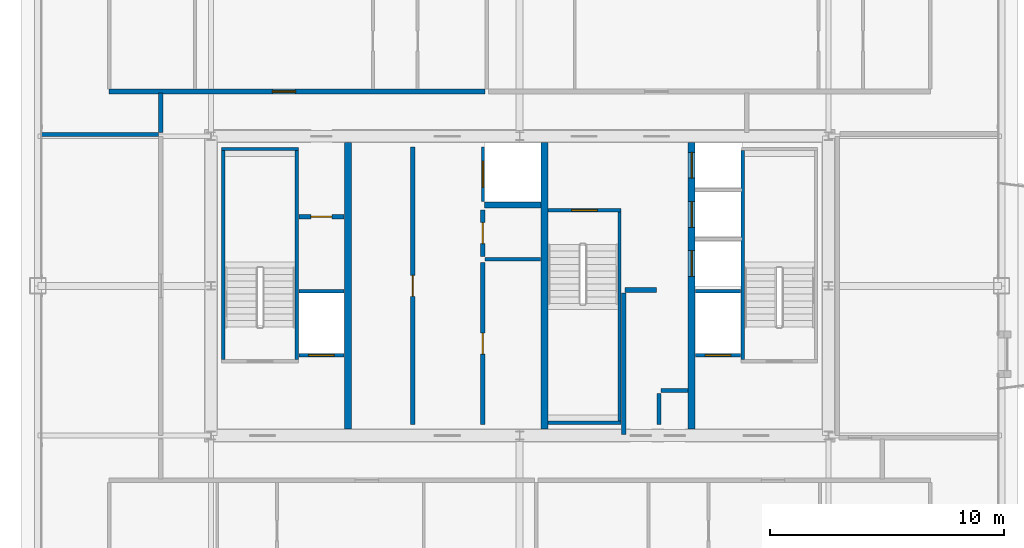
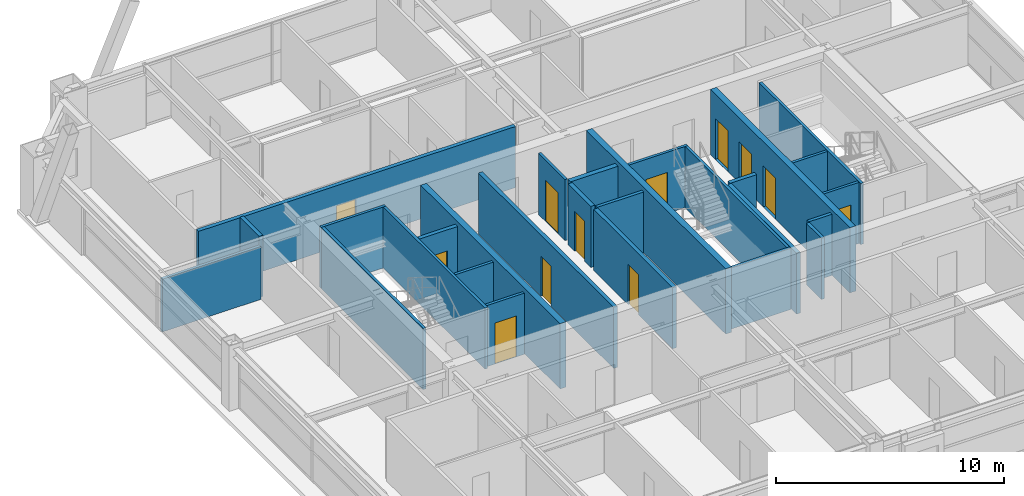
# One storey, part 33 of 37: 28 walls, 12 doors, 12 openings.
"""IFC4 building model written with IfcOpenShell, lengths in metres."""

from ifc_helpers import new_model, si_unit, direction, frame, frame_2d, origin, place, context, subcontext, project, spatial, rectangle, extrude, source, transform, mapped, material, layer, layer_set, type_object, element, fill, save


model = new_model("IFC4")

# Units and contexts
model_context = context("Model", 3, precision=1e-05, world=origin(), true_north=direction((0.0, 1.0)))
body_context = subcontext(model_context, "Body", "Model", "MODEL_VIEW")
ifc_project = project(units=[si_unit("LENGTHUNIT", "METRE"), si_unit("AREAUNIT", "SQUARE_METRE"), si_unit("VOLUMEUNIT", "CUBIC_METRE"), si_unit("PLANEANGLEUNIT", "RADIAN"), si_unit("MASSUNIT", "GRAM", prefix="KILO"), si_unit("THERMODYNAMICTEMPERATUREUNIT", "KELVIN"), si_unit("POWERUNIT", "WATT")], contexts=[model_context])

# Site, building, storey
site_placement = place(None, origin())
site = spatial("IfcSite", under=ifc_project, at=site_placement, CompositionType="ELEMENT")
building_placement = place(site_placement, origin())
building = spatial("IfcBuilding", under=site, at=building_placement, Name="Yuzanri Waterfront Tower", CompositionType="ELEMENT")
storey_placement = place(building_placement, frame((0.0, 0.0, 278.60009765625)))
storey = spatial("IfcBuildingStorey", under=building, at=storey_placement, Name="L74", CompositionType="ELEMENT", Elevation=278.60009765625)

# Wall, openings, doors
ifc_material_1 = material(Name="Concrete C50", Category="concrete")
ifc_layer_1 = layer(ifc_material_1, 0.300048828125)
ifc_layer_set_1 = layer_set([ifc_layer_1], Name="Concrete C50")
wall_type_1 = type_object("IfcWallType", Name="Concrete C50 Internal Core Shaft Structural Wall 300", PredefinedType="SOLIDWALL", material=ifc_layer_set_1)
wall_1_placement = place(storey_placement, frame((44.35009765625, 19.675048828125, 0.0), z_axis=(0.0, 0.0, 1.0), x_axis=(0.0, 1.0, 0.0)))
wall_1 = element("IfcWall", 1, at=wall_1_placement, inside=storey, type_object=wall_type_1, Name="L74 Core Internal Structural Web Wall 3", PredefinedType="SOLIDWALL", context=body_context, shape_type="SweptSolid", body=[
    extrude(rectangle(XDim=12.25, YDim=0.300048828125, at=frame_2d((6.125, 0.0))), origin(), (0.0, 0.0, 1.0), 3.5),
])
opening_1_placement = place(wall_1_placement, frame((6.52490234375, 0.0, 0.0)))
opening_1 = element("IfcOpeningElement", 2, at=opening_1_placement, cuts=wall_1, Name="Opening LD-PL-09", PredefinedType="OPENING", context=body_context, shape_type="SweptSolid", body=[
    extrude(rectangle(XDim=1.10009765625, YDim=2.199951171875, at=frame_2d((0.550048828125, 1.10009765625))), frame((0.0, 0.1650390625, 0.0), z_axis=(0.0, -1.0, 0.0), x_axis=(1.0, 0.0, 0.0)), (0.0, 0.0, 1.0), 0.329833984375),
])
opening_2_placement = place(wall_1_placement, frame((8.625, 0.0, 0.0)))
opening_2 = element("IfcOpeningElement", 3, at=opening_2_placement, cuts=wall_1, Name="Opening LD-PL-10", PredefinedType="OPENING", context=body_context, shape_type="SweptSolid", body=[
    extrude(rectangle(XDim=1.10009765625, YDim=2.199951171875, at=frame_2d((0.550048828125, 1.10009765625))), frame((0.0, 0.1650390625, 0.0), z_axis=(0.0, -1.0, 0.0), x_axis=(1.0, 0.0, 0.0)), (0.0, 0.0, 1.0), 0.329833984375),
])
opening_3_placement = place(wall_1_placement, frame((10.72509765625, 0.0, 0.0)))
opening_3 = element("IfcOpeningElement", 4, at=opening_3_placement, cuts=wall_1, Name="Opening LD-PL-11", PredefinedType="OPENING", context=body_context, shape_type="SweptSolid", body=[
    extrude(rectangle(XDim=1.10009765625, YDim=2.199951171875, at=frame_2d((0.550048828125, 1.10009765625))), frame((0.0, 0.1650390625, 0.0), z_axis=(0.0, -1.0, 0.0), x_axis=(1.0, 0.0, 0.0)), (0.0, 0.0, 1.0), 0.329833984375),
])
ifc_material_2 = material(Name="Brushed Bronze and Stainless Steel Cab", Category="steel")
door_type_1 = type_object("IfcDoorType", Name="Center-Parting Bronze Lift Landing Sliding Door 1100x2200", OperationType="NOTDEFINED", PredefinedType="DOOR", material=ifc_material_2)
shared_shape_1 = source(origin(), body_context, "Body", "SweptSolid", [
    extrude(rectangle(XDim=1.10009765625, YDim=2.199951171875, at=frame_2d((0.550048828125, 1.10009765625))), frame((0.0, 0.02490234375, 0.0), z_axis=(0.0, -1.0, 0.0), x_axis=(1.0, 0.0, 0.0)), (0.0, 0.0, 1.0), 0.050048828125),
])
door_1_placement = place(opening_1_placement, origin())
door_1 = element("IfcDoor", 5, at=door_1_placement, inside=storey, type_object=door_type_1, Name="L74 PL-09 Lift Landing Sliding Door", OperationType="SLIDING_TO_LEFT", OverallHeight=2.199951171875, OverallWidth=1.10009765625, PredefinedType="DOOR", context=body_context, shape_type="MappedRepresentation", body=[
    mapped(shared_shape_1, transform((0.0, 0.0, 0.0), scale=1.0)),
])
fill(opening_1, door_1)
door_2_placement = place(opening_2_placement, origin())
door_2 = element("IfcDoor", 6, at=door_2_placement, inside=storey, type_object=door_type_1, Name="L74 PL-10 Lift Landing Sliding Door", OperationType="SLIDING_TO_RIGHT", OverallHeight=2.199951171875, OverallWidth=1.10009765625, PredefinedType="DOOR", context=body_context, shape_type="MappedRepresentation", body=[
    mapped(shared_shape_1, transform((0.0, 0.0, 0.0), scale=1.0)),
])
fill(opening_2, door_2)
door_3_placement = place(opening_3_placement, origin())
door_3 = element("IfcDoor", 7, at=door_3_placement, inside=storey, type_object=door_type_1, Name="L74 PL-11 Lift Landing Sliding Door", OperationType="SLIDING_TO_LEFT", OverallHeight=2.199951171875, OverallWidth=1.10009765625, PredefinedType="DOOR", context=body_context, shape_type="MappedRepresentation", body=[
    mapped(shared_shape_1, transform((0.0, 0.0, 0.0), scale=1.0)),
])
fill(opening_3, door_3)

# Wall, opening, door
ifc_material_3 = material(Name="Concrete C40", Category="concrete")
ifc_layer_2 = layer(ifc_material_3, 0.139892578125)
ifc_layer_set_2 = layer_set([ifc_layer_2], Name="Concrete C40")
wall_type_2 = type_object("IfcWallType", Name="Core Stair Liner and Hoistway Shaft Wall 140", PredefinedType="SOLIDWALL", material=ifc_layer_set_2)
wall_2_placement = place(storey_placement, frame((27.56005859375, 22.830078125, 0.0), z_axis=(0.0, 0.0, 1.0), x_axis=(1.0, 0.0, 0.0)))
wall_2 = element("IfcWall", 8, at=wall_2_placement, inside=storey, type_object=wall_type_2, Name="L74 Lift FL-01 Front Shaft Wall", PredefinedType="SOLIDWALL", context=body_context, shape_type="SweptSolid", body=[
    extrude(rectangle(XDim=1.919921875, YDim=0.139892578125, at=frame_2d((0.9599609375, 0.0))), origin(), (0.0, 0.0, 1.0), 3.27978515625),
])
opening_4_placement = place(wall_2_placement, frame((0.409912109375, 0.0, 0.0)))
opening_4 = element("IfcOpeningElement", 9, at=opening_4_placement, cuts=wall_2, Name="Opening LD-FL-01", PredefinedType="OPENING", context=body_context, shape_type="SweptSolid", body=[
    extrude(rectangle(XDim=1.10009765625, YDim=2.199951171875, at=frame_2d((0.550048828125, 1.10009765625))), frame((0.0, 0.0849609375, 0.0), z_axis=(0.0, -1.0, 0.0), x_axis=(1.0, 0.0, 0.0)), (0.0, 0.0, 1.0), 0.169677734375),
])
door_4_placement = place(opening_4_placement, origin())
door_4 = element("IfcDoor", 10, at=door_4_placement, inside=storey, type_object=door_type_1, Name="L74 FL-01 Lift Landing Sliding Door", OperationType="SLIDING_TO_LEFT", OverallHeight=2.199951171875, OverallWidth=1.10009765625, PredefinedType="DOOR", context=body_context, shape_type="MappedRepresentation", body=[
    mapped(shared_shape_1, transform((0.0, 0.0, 0.0), scale=1.0)),
])
fill(opening_4, door_4)

wall_3_placement = place(storey_placement, frame((44.52001953125, 22.830078125, 0.0), z_axis=(0.0, 0.0, 1.0), x_axis=(1.0, 0.0, 0.0)))
wall_3 = element("IfcWall", 11, at=wall_3_placement, inside=storey, type_object=wall_type_2, Name="L74 Lift FL-02 Front Shaft Wall", PredefinedType="SOLIDWALL", context=body_context, shape_type="SweptSolid", body=[
    extrude(rectangle(XDim=1.919921875, YDim=0.139892578125, at=frame_2d((0.9599609375, 0.0))), origin(), (0.0, 0.0, 1.0), 3.27978515625),
])
opening_5_placement = place(wall_3_placement, frame((0.409912109375, 0.0, 0.0)))
opening_5 = element("IfcOpeningElement", 12, at=opening_5_placement, cuts=wall_3, Name="Opening LD-FL-02", PredefinedType="OPENING", context=body_context, shape_type="SweptSolid", body=[
    extrude(rectangle(XDim=1.10009765625, YDim=2.199951171875, at=frame_2d((0.550048828125, 1.10009765625))), frame((0.0, 0.0849609375, 0.0), z_axis=(0.0, -1.0, 0.0), x_axis=(1.0, 0.0, 0.0)), (0.0, 0.0, 1.0), 0.169677734375),
])
door_5_placement = place(opening_5_placement, origin())
door_5 = element("IfcDoor", 13, at=door_5_placement, inside=storey, type_object=door_type_1, Name="L74 FL-02 Lift Landing Sliding Door", OperationType="SLIDING_TO_RIGHT", OverallHeight=2.199951171875, OverallWidth=1.10009765625, PredefinedType="DOOR", context=body_context, shape_type="MappedRepresentation", body=[
    mapped(shared_shape_1, transform((0.0, 0.0, 0.0), scale=1.0)),
])
fill(opening_5, door_5)

wall_4_placement = place(storey_placement, frame((35.429931640625, 29.39990234375, 0.0), z_axis=(0.0, 0.0, 1.0), x_axis=(0.0, 1.0, 0.0)))
wall_4 = element("IfcWall", 14, at=wall_4_placement, inside=storey, type_object=wall_type_2, Name="L74 Lift SL-02 Front Shaft Wall", PredefinedType="SOLIDWALL", context=body_context, shape_type="SweptSolid", body=[
    extrude(rectangle(XDim=2.340087890625, YDim=0.139892578125, at=frame_2d((1.169921875, 0.0))), origin(), (0.0, 0.0, 1.0), 3.27978515625),
])
opening_6_placement = place(wall_4_placement, frame((0.6201171875, 0.0, 0.0)))
opening_6 = element("IfcOpeningElement", 15, at=opening_6_placement, cuts=wall_4, Name="Opening LD-SL-02", PredefinedType="OPENING", context=body_context, shape_type="SweptSolid", body=[
    extrude(rectangle(XDim=1.10009765625, YDim=2.199951171875, at=frame_2d((0.550048828125, 1.10009765625))), frame((0.0, 0.0849609375, 0.0), z_axis=(0.0, -1.0, 0.0), x_axis=(1.0, 0.0, 0.0)), (0.0, 0.0, 1.0), 0.169677734375),
])
door_6_placement = place(opening_6_placement, origin())
door_6 = element("IfcDoor", 16, at=door_6_placement, inside=storey, type_object=door_type_1, Name="L74 SL-02 Lift Landing Sliding Door", OperationType="SLIDING_TO_RIGHT", OverallHeight=2.199951171875, OverallWidth=1.10009765625, PredefinedType="DOOR", context=body_context, shape_type="MappedRepresentation", body=[
    mapped(shared_shape_1, transform((0.0, 0.0, 0.0), scale=1.0)),
])
fill(opening_6, door_6)

wall_5_placement = place(storey_placement, frame((38.199951171875, 29.030029296875, 0.0), z_axis=(0.0, 0.0, 1.0), x_axis=(1.0, 0.0, 0.0)))
wall_5 = element("IfcWall", 17, at=wall_5_placement, inside=storey, type_object=wall_type_2, Name="L74 Shaft Wall STW-L74-ST-03-N", PredefinedType="SOLIDWALL", context=body_context, shape_type="SweptSolid", body=[
    extrude(rectangle(XDim=3.14013671875, YDim=0.139892578125, at=frame_2d((1.570068359375, 0.0))), origin(), (0.0, 0.0, 1.0), 3.27978515625),
])
opening_7_placement = place(wall_5_placement, frame((1.02001953125, 0.0, 0.0)))
opening_7 = element("IfcOpeningElement", 18, at=opening_7_placement, cuts=wall_5, Name="Opening FD-1100", PredefinedType="OPENING", context=body_context, shape_type="SweptSolid", body=[
    extrude(rectangle(XDim=1.10009765625, YDim=2.199951171875, at=frame_2d((0.550048828125, 1.10009765625))), frame((0.0, 0.0849609375, 0.0), z_axis=(0.0, -1.0, 0.0), x_axis=(1.0, 0.0, 0.0)), (0.0, 0.0, 1.0), 0.169677734375),
])
ifc_material_4 = material(Name="Painted Galvanized Fire Steel", Category="steel")
door_type_2 = type_object("IfcDoorType", Name="Smoke-Proof Stair and Lobby Fire Door 1100x2200", OperationType="NOTDEFINED", PredefinedType="DOOR", material=ifc_material_4)
shared_shape_2 = source(origin(), body_context, "Body", "SweptSolid", [
    extrude(rectangle(XDim=1.10009765625, YDim=2.199951171875, at=frame_2d((0.550048828125, 1.10009765625))), frame((0.0, 0.02490234375, 0.0), z_axis=(0.0, -1.0, 0.0), x_axis=(1.0, 0.0, 0.0)), (0.0, 0.0, 1.0), 0.050048828125),
])
door_7_placement = place(opening_7_placement, origin())
door_7 = element("IfcDoor", 19, at=door_7_placement, inside=storey, type_object=door_type_2, Name="L74 Stair ST-03 Fire Door", OperationType="SINGLE_SWING_LEFT", OverallHeight=2.199951171875, OverallWidth=1.10009765625, PredefinedType="DOOR", context=body_context, shape_type="MappedRepresentation", body=[
    mapped(shared_shape_2, transform((0.0, 0.0, 0.0), scale=1.0)),
])
fill(opening_7, door_7)

ifc_material_5 = material(Name="Autoclaved Aerated Concrete Blockwork", Category="masonry")
ifc_layer_3 = layer(ifc_material_5, 0.199951171875)
ifc_layer_set_3 = layer_set([ifc_layer_3], Name="Autoclaved Aerated Concrete Blockwork")
wall_type_3 = type_object("IfcWallType", Name="Corridor and Unit Party Fire Wall 200", PredefinedType="PARTITIONING", material=ifc_layer_set_3)
wall_6_placement = place(storey_placement, frame((27.56005859375, 28.75, 0.0), z_axis=(0.0, 0.0, 1.0), x_axis=(1.0, 0.0, 0.0)))
wall_6 = element("IfcWall", 20, at=wall_6_placement, inside=storey, type_object=wall_type_3, Name="L74 Partition CRW-L74-ERTR", PredefinedType="PARTITIONING", context=body_context, shape_type="SweptSolid", body=[
    extrude(rectangle(XDim=1.919921875, YDim=0.199951171875, at=frame_2d((0.9599609375, 0.0))), origin(), (0.0, 0.0, 1.0), 3.27978515625),
])
opening_8_placement = place(wall_6_placement, frame((0.510009765625, 0.0, 0.0)))
opening_8 = element("IfcOpeningElement", 21, at=opening_8_placement, cuts=wall_6, Name="Opening FD-0900", PredefinedType="OPENING", context=body_context, shape_type="SweptSolid", body=[
    extrude(rectangle(XDim=0.89990234375, YDim=2.14990234375, at=frame_2d((0.449951171875, 1.074951171875))), frame((0.0, 0.11474609375, 0.0), z_axis=(0.0, -1.0, 0.0), x_axis=(1.0, 0.0, 0.0)), (0.0, 0.0, 1.0), 0.229736328125),
])
ifc_material_6 = material(Name="Painted Galvanized Fire Steel", Category="steel")
door_type_3 = type_object("IfcDoorType", Name="Riser and Service Room Fire Door 900x2150", OperationType="NOTDEFINED", PredefinedType="DOOR", material=ifc_material_6)
shared_shape_3 = source(origin(), body_context, "Body", "SweptSolid", [
    extrude(rectangle(XDim=0.89990234375, YDim=2.14990234375, at=frame_2d((0.449951171875, 1.074951171875))), frame((0.0, 0.02490234375, 0.0), z_axis=(0.0, -1.0, 0.0), x_axis=(1.0, 0.0, 0.0)), (0.0, 0.0, 1.0), 0.050048828125),
])
door_8_placement = place(opening_8_placement, origin())
door_8 = element("IfcDoor", 22, at=door_8_placement, inside=storey, type_object=door_type_3, Name="L74 Electrical Riser Door", OperationType="SINGLE_SWING_LEFT", OverallHeight=2.14990234375, OverallWidth=0.89990234375, PredefinedType="DOOR", context=body_context, shape_type="MappedRepresentation", body=[
    mapped(shared_shape_3, transform((0.0, 0.0, 0.0), scale=1.0)),
])
fill(opening_8, door_8)

wall_7_placement = place(storey_placement, frame((32.419921875, 19.860107421875, 0.0), z_axis=(0.0, 0.0, 1.0), x_axis=(0.0, 1.0, 0.0)))
wall_7 = element("IfcWall", 23, at=wall_7_placement, inside=storey, type_object=wall_type_3, Name="L74 Partition CRW-L74-B1R-1", PredefinedType="PARTITIONING", context=body_context, shape_type="SweptSolid", body=[
    extrude(rectangle(XDim=11.8798828125, YDim=0.199951171875, at=frame_2d((5.93994140625, 0.0))), origin(), (0.0, 0.0, 1.0), 3.27978515625),
])
opening_9_placement = place(wall_7_placement, frame((5.489990234375, 0.0, 0.0)))
opening_9 = element("IfcOpeningElement", 24, at=opening_9_placement, cuts=wall_7, Name="Opening FD-0900", PredefinedType="OPENING", context=body_context, shape_type="SweptSolid", body=[
    extrude(rectangle(XDim=0.89990234375, YDim=2.14990234375, at=frame_2d((0.449951171875, 1.074951171875))), frame((0.0, 0.11474609375, 0.0), z_axis=(0.0, -1.0, 0.0), x_axis=(1.0, 0.0, 0.0)), (0.0, 0.0, 1.0), 0.229736328125),
])
door_9_placement = place(opening_9_placement, origin())
door_9 = element("IfcDoor", 25, at=door_9_placement, inside=storey, type_object=door_type_3, Name="L74 Private Store Room", OperationType="SINGLE_SWING_RIGHT", OverallHeight=2.14990234375, OverallWidth=0.89990234375, PredefinedType="DOOR", context=body_context, shape_type="MappedRepresentation", body=[
    mapped(shared_shape_3, transform((0.0, 0.0, 0.0), scale=1.0)),
])
fill(opening_9, door_9)

wall_8_placement = place(storey_placement, frame((35.419921875, 19.860107421875, 0.0), z_axis=(0.0, 0.0, 1.0), x_axis=(0.0, 1.0, 0.0)))
wall_8 = element("IfcWall", 26, at=wall_8_placement, inside=storey, type_object=wall_type_3, Name="L74 Partition CRW-L74-B2R-1", PredefinedType="PARTITIONING", context=body_context, shape_type="SweptSolid", body=[
    extrude(rectangle(XDim=6.93994140625, YDim=0.199951171875, at=frame_2d((3.469970703125, 0.0))), origin(), (0.0, 0.0, 1.0), 3.27978515625),
])
opening_10_placement = place(wall_8_placement, frame((3.02001953125, 0.0, 0.0)))
opening_10 = element("IfcOpeningElement", 27, at=opening_10_placement, cuts=wall_8, Name="Opening FD-0900", PredefinedType="OPENING", context=body_context, shape_type="SweptSolid", body=[
    extrude(rectangle(XDim=0.89990234375, YDim=2.14990234375, at=frame_2d((0.449951171875, 1.074951171875))), frame((0.0, 0.11474609375, 0.0), z_axis=(0.0, -1.0, 0.0), x_axis=(1.0, 0.0, 0.0)), (0.0, 0.0, 1.0), 0.229736328125),
])
door_10_placement = place(opening_10_placement, origin())
door_10 = element("IfcDoor", 28, at=door_10_placement, inside=storey, type_object=door_type_3, Name="L74 East Common Store Room", OperationType="SINGLE_SWING_LEFT", OverallHeight=2.14990234375, OverallWidth=0.89990234375, PredefinedType="DOOR", context=body_context, shape_type="MappedRepresentation", body=[
    mapped(shared_shape_3, transform((0.0, 0.0, 0.0), scale=1.0)),
])
fill(opening_10, door_10)

wall_9_placement = place(storey_placement, frame((35.419921875, 27.050048828125, 0.0), z_axis=(0.0, 0.0, 1.0), x_axis=(0.0, 1.0, 0.0)))
wall_9 = element("IfcWall", 29, at=wall_9_placement, inside=storey, type_object=wall_type_3, Name="L74 Partition CRW-L74-B2R-2", PredefinedType="PARTITIONING", context=body_context, shape_type="SweptSolid", body=[
    extrude(rectangle(XDim=2.0, YDim=0.199951171875, at=frame_2d((1.0, 0.0))), origin(), (0.0, 0.0, 1.0), 3.27978515625),
])
opening_11_placement = place(wall_9_placement, frame((0.550048828125, 0.0, 0.0)))
opening_11 = element("IfcOpeningElement", 30, at=opening_11_placement, cuts=wall_9, Name="Opening FD-0900", PredefinedType="OPENING", context=body_context, shape_type="SweptSolid", body=[
    extrude(rectangle(XDim=0.89990234375, YDim=2.14990234375, at=frame_2d((0.449951171875, 1.074951171875))), frame((0.0, 0.11474609375, 0.0), z_axis=(0.0, -1.0, 0.0), x_axis=(1.0, 0.0, 0.0)), (0.0, 0.0, 1.0), 0.229736328125),
])
door_11_placement = place(opening_11_placement, origin())
door_11 = element("IfcDoor", 31, at=door_11_placement, inside=storey, type_object=door_type_3, Name="L74 Service Duct Shaft", OperationType="SINGLE_SWING_RIGHT", OverallHeight=2.14990234375, OverallWidth=0.89990234375, PredefinedType="DOOR", context=body_context, shape_type="MappedRepresentation", body=[
    mapped(shared_shape_3, transform((0.0, 0.0, 0.0), scale=1.0)),
])
fill(opening_11, door_11)

wall_10_placement = place(storey_placement, frame((19.43994140625, 34.110107421875, 0.0), z_axis=(0.0, 0.0, 1.0), x_axis=(1.0, 0.0, 0.0)))
wall_10 = element("IfcWall", 32, at=wall_10_placement, inside=storey, type_object=wall_type_3, Name="L74 Partition UW-L74-HN1-CS", PredefinedType="PARTITIONING", context=body_context, shape_type="SweptSolid", body=[
    extrude(rectangle(XDim=16.074951171875, YDim=0.199951171875, at=frame_2d((8.03759765625, 0.0))), origin(), (0.0, 0.0, 1.0), 3.27978515625),
])
opening_12_placement = place(wall_10_placement, frame((6.98193359375, 0.0, 0.0)))
opening_12 = element("IfcOpeningElement", 33, at=opening_12_placement, cuts=wall_10, Name="Opening FD-1000", PredefinedType="OPENING", context=body_context, shape_type="SweptSolid", body=[
    extrude(rectangle(XDim=1.0, YDim=2.199951171875, at=frame_2d((0.5, 1.10009765625))), frame((0.0, 0.11474609375, 0.0), z_axis=(0.0, -1.0, 0.0), x_axis=(1.0, 0.0, 0.0)), (0.0, 0.0, 1.0), 0.229736328125),
])
ifc_material_7 = material(Name="Engineered Oak Fire-Rated Timber", Category="wood")
door_type_4 = type_object("IfcDoorType", Name="Guestroom and Apartment Entrance Fire Door 1000x2200", OperationType="NOTDEFINED", PredefinedType="DOOR", material=ifc_material_7)
shared_shape_4 = source(origin(), body_context, "Body", "SweptSolid", [
    extrude(rectangle(XDim=1.0, YDim=2.199951171875, at=frame_2d((0.5, 1.10009765625))), frame((0.0, 0.02490234375, 0.0), z_axis=(0.0, -1.0, 0.0), x_axis=(1.0, 0.0, 0.0)), (0.0, 0.0, 1.0), 0.050048828125),
])
door_12_placement = place(opening_12_placement, origin())
door_12 = element("IfcDoor", 34, at=door_12_placement, inside=storey, type_object=door_type_4, Name="L74 Apartment Living Room Entrance Door", OperationType="SINGLE_SWING_LEFT", OverallHeight=2.199951171875, OverallWidth=1.0, PredefinedType="DOOR", context=body_context, shape_type="MappedRepresentation", body=[
    mapped(shared_shape_4, transform((0.0, 0.0, 0.0), scale=1.0)),
])
fill(opening_12, door_12)

# Walls
shared_shape_5 = source(origin(), body_context, "Body", "SweptSolid", [
    extrude(rectangle(XDim=12.25, YDim=0.300048828125, at=frame_2d((6.125, 0.0))), origin(), (0.0, 0.0, 1.0), 3.5),
])
for number, where, z_axis, x_axis, name in (
    (35, (29.64990234375, 19.675048828125, 0.0), (0.0, 0.0, 1.0), (0.0, 1.0, 0.0), "L74 Core Internal Structural Web Wall 1"),
    (36, (38.050048828125, 19.675048828125, 0.0), (0.0, 0.0, 1.0), (0.0, 1.0, 0.0), "L74 Core Internal Structural Web Wall 2"),
):
    element("IfcWall", number, at=place(storey_placement, frame(where, z_axis=z_axis, x_axis=x_axis)), inside=storey, type_object=wall_type_1, Name=name, PredefinedType="SOLIDWALL", context=body_context, shape_type="MappedRepresentation", body=[
        mapped(shared_shape_5, transform((0.0, 0.0, 0.0), scale=1.0)),
    ])
shared_shape_6 = source(origin(), body_context, "Body", "SweptSolid", [
    extrude(rectangle(XDim=1.919921875, YDim=0.139892578125, at=frame_2d((0.9599609375, 0.0))), origin(), (0.0, 0.0, 1.0), 3.27978515625),
])
for number, where, z_axis, x_axis, name in (
    (37, (27.56005859375, 25.570068359375, 0.0), (0.0, 0.0, 1.0), (1.0, 0.0, 0.0), "L74 Lift FL-01 Back Shaft Wall"),
    (38, (44.52001953125, 25.570068359375, 0.0), (0.0, 0.0, 1.0), (1.0, 0.0, 0.0), "L74 Lift FL-02 Back Shaft Wall"),
):
    element("IfcWall", number, at=place(storey_placement, frame(where, z_axis=z_axis, x_axis=x_axis)), inside=storey, type_object=wall_type_2, Name=name, PredefinedType="SOLIDWALL", context=body_context, shape_type="MappedRepresentation", body=[
        mapped(shared_shape_6, transform((0.0, 0.0, 0.0), scale=1.0)),
    ])
ifc_material_8 = material(Name="Concrete C40", Category="concrete")
ifc_layer_4 = layer(ifc_material_8, 0.25)
ifc_layer_set_4 = layer_set([ifc_layer_4], Name="Concrete C40")
wall_type_4 = type_object("IfcWallType", Name="Smoke-Proof Stair and Lift Shaft Wall 250", PredefinedType="SOLIDWALL", material=ifc_layer_set_4)
shared_shape_7 = source(origin(), body_context, "Body", "SweptSolid", [
    extrude(rectangle(XDim=2.39990234375, YDim=0.25, at=frame_2d((1.199951171875, 0.0))), origin(), (0.0, 0.0, 1.0), 3.27978515625),
])
wall_11_placement = place(storey_placement, frame((35.5, 29.25, 0.0), z_axis=(0.0, 0.0, 1.0), x_axis=(1.0, 0.0, 0.0)))
element("IfcWall", 39, at=wall_11_placement, inside=storey, type_object=wall_type_4, Name="L74 Lift SL-02 South Shaft Wall", PredefinedType="SOLIDWALL", context=body_context, shape_type="MappedRepresentation", body=[
    mapped(shared_shape_7, transform((0.0, 0.0, 0.0), scale=1.0)),
])
shared_shape_8 = source(origin(), body_context, "Body", "SweptSolid", [
    extrude(rectangle(XDim=3.280029296875, YDim=0.139892578125, at=frame_2d((1.64013671875, 0.0))), origin(), (0.0, 0.0, 1.0), 3.27978515625),
])
wall_12_placement = place(storey_placement, frame((24.260009765625, 31.64990234375, 0.0), z_axis=(0.0, 0.0, 1.0), x_axis=(1.0, 0.0, 0.0)))
element("IfcWall", 40, at=wall_12_placement, inside=storey, type_object=wall_type_2, Name="L74 Stair ST-01 North Shaft Wall", PredefinedType="SOLIDWALL", context=body_context, shape_type="MappedRepresentation", body=[
    mapped(shared_shape_8, transform((0.0, 0.0, 0.0), scale=1.0)),
])
shared_shape_9 = source(origin(), body_context, "Body", "SweptSolid", [
    extrude(rectangle(XDim=8.940185546875, YDim=0.139892578125, at=frame_2d((4.47021484375, 0.0))), origin(), (0.0, 0.0, 1.0), 3.27978515625),
])
for number, where, z_axis, x_axis, name in (
    (41, (24.330078125, 22.639892578125, 0.0), (0.0, 0.0, 1.0), (0.0, 1.0, 0.0), "L74 Stair ST-01 West Shaft Wall"),
    (42, (27.469970703125, 22.639892578125, 0.0), (0.0, 0.0, 1.0), (0.0, 1.0, 0.0), "L74 Stair ST-01 East Shaft Wall"),
    (43, (46.530029296875, 22.639892578125, 0.0), (0.0, 0.0, 1.0), (0.0, 1.0, 0.0), "L74 Stair ST-02 West Shaft Wall"),
):
    element("IfcWall", number, at=place(storey_placement, frame(where, z_axis=z_axis, x_axis=x_axis)), inside=storey, type_object=wall_type_2, Name=name, PredefinedType="SOLIDWALL", context=body_context, shape_type="MappedRepresentation", body=[
        mapped(shared_shape_9, transform((0.0, 0.0, 0.0), scale=1.0)),
    ])
shared_shape_10 = source(origin(), body_context, "Body", "SweptSolid", [
    extrude(rectangle(XDim=3.14013671875, YDim=0.139892578125, at=frame_2d((1.570068359375, 0.0))), origin(), (0.0, 0.0, 1.0), 3.27978515625),
])
wall_13_placement = place(storey_placement, frame((38.199951171875, 19.949951171875, 0.0), z_axis=(0.0, 0.0, 1.0), x_axis=(1.0, 0.0, 0.0)))
element("IfcWall", 44, at=wall_13_placement, inside=storey, type_object=wall_type_2, Name="L74 Stair ST-03 South Shaft Wall", PredefinedType="SOLIDWALL", context=body_context, shape_type="MappedRepresentation", body=[
    mapped(shared_shape_10, transform((0.0, 0.0, 0.0), scale=1.0)),
])
shared_shape_11 = source(origin(), body_context, "Body", "SweptSolid", [
    extrude(rectangle(XDim=8.93994140625, YDim=0.139892578125, at=frame_2d((4.469970703125, 0.0))), origin(), (0.0, 0.0, 1.0), 3.27978515625),
])
wall_14_placement = place(storey_placement, frame((41.27001953125, 20.02001953125, 0.0), z_axis=(0.0, 0.0, 1.0), x_axis=(0.0, 1.0, 0.0)))
element("IfcWall", 45, at=wall_14_placement, inside=storey, type_object=wall_type_2, Name="L74 Stair ST-03 East Shaft Wall", PredefinedType="SOLIDWALL", context=body_context, shape_type="MappedRepresentation", body=[
    mapped(shared_shape_11, transform((0.0, 0.0, 0.0), scale=1.0)),
])
ifc_material_9 = material(Name="Gypsum Fireboard Acoustic Stud Wall", Category="gypsum")
ifc_layer_5 = layer(ifc_material_9, 0.159912109375)
ifc_layer_set_5 = layer_set([ifc_layer_5], Name="Gypsum Fireboard Acoustic Stud Wall")
wall_type_5 = type_object("IfcWallType", Name="Acoustic Suite Demising Partition 160", PredefinedType="PARTITIONING", material=ifc_layer_set_5)
shared_shape_12 = source(origin(), body_context, "Body", "SweptSolid", [
    extrude(rectangle(XDim=1.33984375, YDim=0.159912109375, at=frame_2d((0.669921875, 0.0))), origin(), (0.0, 0.0, 1.0), 3.27978515625),
])
wall_15_placement = place(storey_placement, frame((42.949951171875, 19.860107421875, 0.0), z_axis=(0.0, 0.0, 1.0), x_axis=(0.0, 1.0, 0.0)))
element("IfcWall", 46, at=wall_15_placement, inside=storey, type_object=wall_type_5, Name="L74 East Wet Riser West Wall", PredefinedType="PARTITIONING", context=body_context, shape_type="MappedRepresentation", body=[
    mapped(shared_shape_12, transform((0.0, 0.0, 0.0), scale=1.0)),
])
shared_shape_13 = source(origin(), body_context, "Body", "SweptSolid", [
    extrude(rectangle(XDim=1.169921875, YDim=0.159912109375, at=frame_2d((0.5849609375, 0.0))), origin(), (0.0, 0.0, 1.0), 3.27978515625),
])
wall_16_placement = place(storey_placement, frame((43.030029296875, 21.320068359375, 0.0), z_axis=(0.0, 0.0, 1.0), x_axis=(1.0, 0.0, 0.0)))
element("IfcWall", 47, at=wall_16_placement, inside=storey, type_object=wall_type_5, Name="L74 East Wet Riser North Wall", PredefinedType="PARTITIONING", context=body_context, shape_type="MappedRepresentation", body=[
    mapped(shared_shape_13, transform((0.0, 0.0, 0.0), scale=1.0)),
])
shared_shape_14 = source(origin(), body_context, "Body", "SweptSolid", [
    extrude(rectangle(XDim=2.35986328125, YDim=0.159912109375, at=frame_2d((1.179931640625, 0.0))), origin(), (0.0, 0.0, 1.0), 3.27978515625),
])
wall_17_placement = place(storey_placement, frame((35.52001953125, 26.929931640625, 0.0), z_axis=(0.0, 0.0, 1.0), x_axis=(1.0, 0.0, 0.0)))
element("IfcWall", 48, at=wall_17_placement, inside=storey, type_object=wall_type_5, Name="L74 Reclaimed High-Zone Divider 2", PredefinedType="PARTITIONING", context=body_context, shape_type="MappedRepresentation", body=[
    mapped(shared_shape_14, transform((0.0, 0.0, 0.0), scale=1.0)),
])
shared_shape_15 = source(origin(), body_context, "Body", "SweptSolid", [
    extrude(rectangle(XDim=6.06005859375, YDim=0.199951171875, at=frame_2d((3.030029296875, 0.0))), origin(), (0.0, 0.0, 1.0), 3.27978515625),
])
wall_18_placement = place(storey_placement, frame((41.449951171875, 19.43994140625, 0.0), z_axis=(0.0, 0.0, 1.0), x_axis=(0.0, 1.0, 0.0)))
element("IfcWall", 49, at=wall_18_placement, inside=storey, type_object=wall_type_3, Name="L74 Core BOH West Wall 1", PredefinedType="PARTITIONING", context=body_context, shape_type="MappedRepresentation", body=[
    mapped(shared_shape_15, transform((0.0, 0.0, 0.0), scale=1.0)),
])
shared_shape_16 = source(origin(), body_context, "Body", "SweptSolid", [
    extrude(rectangle(XDim=1.35009765625, YDim=0.199951171875, at=frame_2d((0.675048828125, 0.0))), origin(), (0.0, 0.0, 1.0), 3.27978515625),
])
wall_19_placement = place(storey_placement, frame((41.5, 25.6201171875, 0.0), z_axis=(0.0, 0.0, 1.0), x_axis=(1.0, 0.0, 0.0)))
element("IfcWall", 50, at=wall_19_placement, inside=storey, type_object=wall_type_3, Name="L74 Core BOH Split Wall 1", PredefinedType="PARTITIONING", context=body_context, shape_type="MappedRepresentation", body=[
    mapped(shared_shape_16, transform((0.0, 0.0, 0.0), scale=1.0)),
])
shared_shape_17 = source(origin(), body_context, "Body", "SweptSolid", [
    extrude(rectangle(XDim=1.699951171875, YDim=0.199951171875, at=frame_2d((0.85009765625, 0.0))), origin(), (0.0, 0.0, 1.0), 3.27978515625),
])
wall_20_placement = place(storey_placement, frame((21.64990234375, 32.35009765625, 0.0), z_axis=(0.0, 0.0, 1.0), x_axis=(0.0, 1.0, 0.0)))
element("IfcWall", 51, at=wall_20_placement, inside=storey, type_object=wall_type_3, Name="L74 North Foyer West End Wall", PredefinedType="PARTITIONING", context=body_context, shape_type="MappedRepresentation", body=[
    mapped(shared_shape_17, transform((0.0, 0.0, 0.0), scale=1.0)),
])
shared_shape_18 = source(origin(), body_context, "Body", "SweptSolid", [
    extrude(rectangle(XDim=5.0, YDim=0.159912109375, at=frame_2d((2.5, 0.0))), origin(), (0.0, 0.0, 1.0), 2.824951171875),
])
wall_21_placement = place(storey_placement, frame((16.550048828125, 32.27001953125, 0.0), z_axis=(0.0, 0.0, 1.0), x_axis=(1.0, 0.0, 0.0)))
element("IfcWall", 52, at=wall_21_placement, inside=storey, type_object=wall_type_5, Name="L74-045 Wing North End Wall", PredefinedType="PARTITIONING", context=body_context, shape_type="MappedRepresentation", body=[
    mapped(shared_shape_18, transform((0.0, 0.0, 0.0), scale=1.0)),
])

save(model, "model.ifc")
